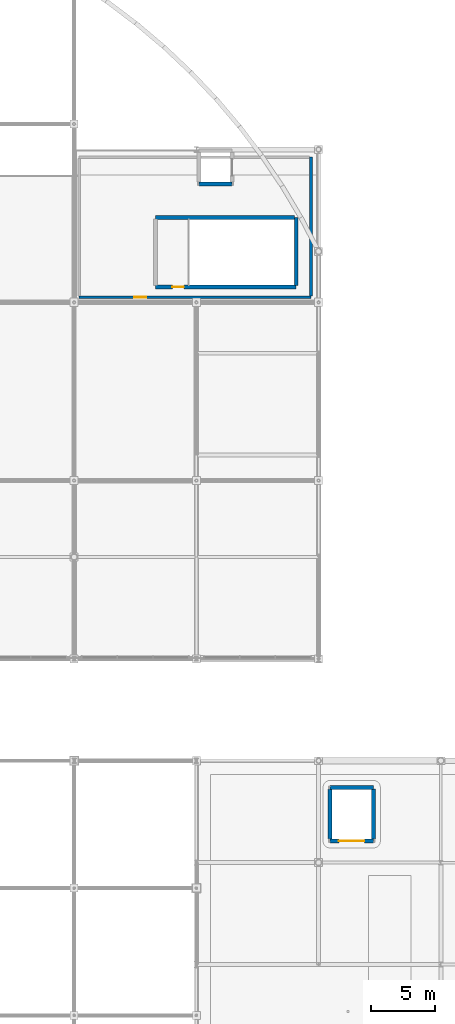
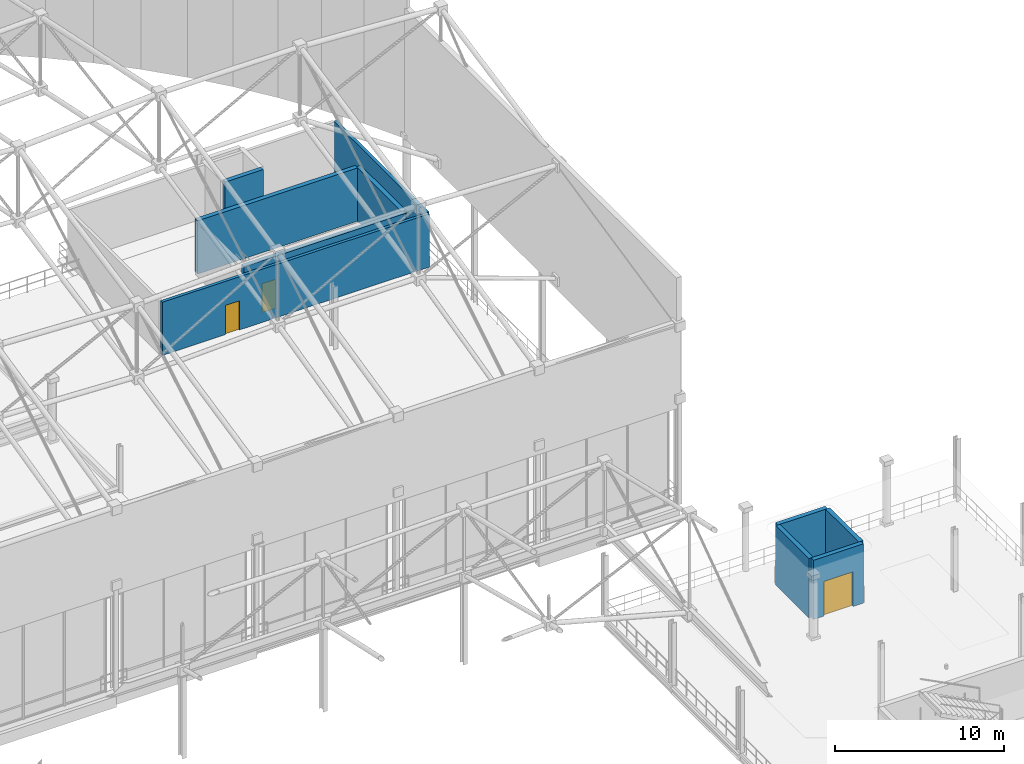
# One storey, part 158 of 193: 10 walls, 3 doors, 3 openings.
"""IFC4 building model written with IfcOpenShell, lengths in metres."""

from ifc_helpers import new_model, si_unit, direction, frame, frame_2d, origin, place, context, subcontext, project, spatial, rectangle, extrude, material, layer, layer_set, type_object, element, fill, save


model = new_model("IFC4")

# Units and contexts
model_context = context("Model", 3, precision=1e-05, world=origin(), true_north=direction((0.0, 1.0)))
body_context = subcontext(model_context, "Body", "Model", "MODEL_VIEW")
ifc_project = project(units=[si_unit("LENGTHUNIT", "METRE"), si_unit("AREAUNIT", "SQUARE_METRE"), si_unit("VOLUMEUNIT", "CUBIC_METRE"), si_unit("PLANEANGLEUNIT", "RADIAN"), si_unit("MASSUNIT", "GRAM", prefix="KILO")], contexts=[model_context])

# Site, building, storey
site_placement = place(None, origin())
site = spatial("IfcSite", under=ifc_project, at=site_placement, CompositionType="ELEMENT")
building_placement = place(site_placement, origin())
building = spatial("IfcBuilding", under=site, at=building_placement, Name="Danafjord Basin Convention Centre", CompositionType="ELEMENT")
storey_placement = place(building_placement, frame((0.0, 0.0, 11.39990234375)))
storey = spatial("IfcBuildingStorey", under=building, at=storey_placement, Name="L02", CompositionType="ELEMENT", Elevation=11.39990234375)

# Wall, opening, door
ifc_material_1 = material(Name="Concrete C40/50", Category="concrete")
ifc_layer_1 = layer(ifc_material_1, 0.300048828125)
ifc_layer_set_1 = layer_set([ifc_layer_1], Name="Concrete C40/50")
wall_type_1 = type_object("IfcWallType", Name="WALL-CW-CORE300", PredefinedType="SHEAR", material=ifc_layer_set_1)
wall_1_placement = place(storey_placement, frame((188.800048828125, 117.199951171875, 0.0), z_axis=(0.0, 0.0, 1.0), x_axis=(1.0, 0.0, 0.0)))
wall_1 = element("IfcWall", 1, at=wall_1_placement, inside=storey, type_object=wall_type_1, Name="Plenary North-East Core Stair 1 core shear wall (south)", PredefinedType="SHEAR", context=body_context, shape_type="SweptSolid", body=[
    extrude(rectangle(XDim=11.0400390625, YDim=0.300048828125, at=frame_2d((5.52001953125, 0.0))), origin(), (0.0, 0.0, 1.0), 3.835205078125),
])
opening_1_placement = place(wall_1_placement, frame((1.31201171875, 0.0, 0.0)))
opening_1 = element("IfcOpeningElement", 2, at=opening_1_placement, cuts=wall_1, Name="Opening FD-S01", PredefinedType="OPENING", context=body_context, shape_type="SweptSolid", body=[
    extrude(rectangle(XDim=0.909912109375, YDim=2.080078125, at=frame_2d((0.455078125, 1.0400390625))), frame((0.0, 0.159912109375, 0.0), z_axis=(0.0, -1.0, 0.0), x_axis=(1.0, 0.0, 0.0)), (0.0, 0.0, 1.0), 0.320068359375),
])
ifc_material_2 = material(Name="Powder-coated steel and Nordic oak", Category="steel")
door_type_1 = type_object("IfcDoorType", Name="DOOR-FD-S01", OperationType="NOTDEFINED", PredefinedType="DOOR", material=ifc_material_2)
door_1_placement = place(opening_1_placement, origin())
door_1 = element("IfcDoor", 3, at=door_1_placement, inside=storey, type_object=door_type_1, Name="Plenary North-East Core Stair 1 L02 Fire Exit Door", OperationType="SINGLE_SWING_LEFT", OverallHeight=2.080078125, OverallWidth=0.909912109375, PredefinedType="DOOR", context=body_context, shape_type="SweptSolid", body=[
    extrude(rectangle(XDim=0.909912109375, YDim=2.080078125, at=frame_2d((0.455078125, 1.0400390625))), frame((0.0, 0.02490234375, 0.0), z_axis=(0.0, -1.0, 0.0), x_axis=(1.0, 0.0, 0.0)), (0.0, 0.0, 1.0), 0.050048828125),
])
fill(opening_1, door_1)

# Walls
wall_2_placement = place(storey_placement, frame((199.840087890625, 117.3349609375, 0.0), z_axis=(0.0, 0.0, 1.0), x_axis=(0.0, 1.0, 0.0)))
element("IfcWall", 4, at=wall_2_placement, inside=storey, type_object=wall_type_1, Name="Plenary North-East Core Stair 1 core shear wall (east)", PredefinedType="SHEAR", context=body_context, shape_type="SweptSolid", body=[
    extrude(rectangle(XDim=5.324951171875, YDim=0.300048828125, at=frame_2d((2.66259765625, 0.0))), origin(), (0.0, 0.0, 1.0), 3.835205078125),
])
wall_3_placement = place(storey_placement, frame((199.705078125, 122.659912109375, 0.0), z_axis=(0.0, 0.0, 1.0), x_axis=(-1.0, 0.0, 0.0)))
element("IfcWall", 5, at=wall_3_placement, inside=storey, type_object=wall_type_1, Name="Plenary North-East Core Stair 1 core shear wall (north)", PredefinedType="SHEAR", context=body_context, shape_type="SweptSolid", body=[
    extrude(rectangle(XDim=10.905029296875, YDim=0.300048828125, at=frame_2d((5.45263671875, 0.0))), origin(), (0.0, 0.0, 1.0), 3.835205078125),
])
wall_4_placement = place(storey_placement, frame((192.199951171875, 125.300048828125, 0.0), z_axis=(0.0, 0.0, 1.0), x_axis=(1.0, 0.0, 0.0)))
element("IfcWall", 6, at=wall_4_placement, inside=storey, type_object=wall_type_1, Name="Lift LF-P05 shaft shear wall", PredefinedType="SHEAR", context=body_context, shape_type="SweptSolid", body=[
    extrude(rectangle(XDim=2.60009765625, YDim=0.300048828125, at=frame_2d((1.300048828125, 0.0))), origin(), (0.0, 0.0, 1.0), 3.835205078125),
])
wall_5_placement = place(storey_placement, frame((205.89990234375, 77.89990234375, 0.0), z_axis=(0.0, 0.0, 1.0), x_axis=(-1.0, 0.0, 0.0)))
element("IfcWall", 7, at=wall_5_placement, inside=storey, type_object=wall_type_1, Name="Lift LF-G02 shaft shear wall", PredefinedType="SHEAR", context=body_context, shape_type="SweptSolid", body=[
    extrude(rectangle(XDim=3.39990234375, YDim=0.300048828125, at=frame_2d((1.699951171875, 0.0))), origin(), (0.0, 0.0, 1.0), 4.27001953125),
])

# Wall, opening, door
wall_6_placement = place(storey_placement, frame((202.5, 73.699951171875, 0.0), z_axis=(0.0, 0.0, 1.0), x_axis=(1.0, 0.0, 0.0)))
wall_6 = element("IfcWall", 8, at=wall_6_placement, inside=storey, type_object=wall_type_1, Name="Lift LF-G02 shaft shear wall", PredefinedType="SHEAR", context=body_context, shape_type="SweptSolid", body=[
    extrude(rectangle(XDim=3.39990234375, YDim=0.300048828125, at=frame_2d((1.699951171875, 0.0))), origin(), (0.0, 0.0, 1.0), 4.27001953125),
])
opening_2_placement = place(wall_6_placement, frame((0.699951171875, 0.0, 0.0)))
opening_2 = element("IfcOpeningElement", 9, at=opening_2_placement, cuts=wall_6, Name="Opening LD-G01", PredefinedType="OPENING", context=body_context, shape_type="SweptSolid", body=[
    extrude(rectangle(XDim=2.0, YDim=2.5, at=frame_2d((1.0, 1.25))), frame((0.0, 0.159912109375, 0.0), z_axis=(0.0, -1.0, 0.0), x_axis=(1.0, 0.0, 0.0)), (0.0, 0.0, 1.0), 0.320068359375),
])
ifc_material_3 = material(Name="Brushed stainless steel and acoustic laminated glass", Category="steel")
door_type_2 = type_object("IfcDoorType", Name="DOOR-LD-G01", OperationType="DOUBLE_DOOR_SLIDING", PredefinedType="DOOR", material=ifc_material_3)
door_2_placement = place(opening_2_placement, origin())
door_2 = element("IfcDoor", 10, at=door_2_placement, inside=storey, type_object=door_type_2, Name="Lift LF-G02 L02 Landing Door", OperationType="DOUBLE_DOOR_SLIDING", OverallHeight=2.5, OverallWidth=2.0, PredefinedType="DOOR", context=body_context, shape_type="SweptSolid", body=[
    extrude(rectangle(XDim=2.0, YDim=2.5, at=frame_2d((1.0, 1.25))), frame((0.0, 0.02490234375, 0.0), z_axis=(0.0, -1.0, 0.0), x_axis=(1.0, 0.0, 0.0)), (0.0, 0.0, 1.0), 0.050048828125),
])
fill(opening_2, door_2)

# Walls
for number, where, z_axis, x_axis, name in (
    (11, (205.89990234375, 73.8349609375, 0.0), (0.0, 0.0, 1.0), (0.0, 1.0, 0.0), "Lift LF-G02 shaft shear wall"),
    (12, (202.5, 77.764892578125, 0.0), (0.0, 0.0, 1.0), (0.0, -1.0, 0.0), "Lift LF-G02 shaft shear wall"),
):
    element("IfcWall", number, at=place(storey_placement, frame(where, z_axis=z_axis, x_axis=x_axis)), inside=storey, type_object=wall_type_1, Name=name, PredefinedType="SHEAR", context=body_context, shape_type="SweptSolid", body=[
        extrude(rectangle(XDim=3.929931640625, YDim=0.300048828125, at=frame_2d((1.96484375, 0.0))), origin(), (0.0, 0.0, 1.0), 4.27001953125),
    ])

# Wall, opening, door
ifc_material_4 = material(Name="Concrete C35/45", Category="concrete")
ifc_layer_2 = layer(ifc_material_4, 0.205078125)
ifc_layer_set_2 = layer_set([ifc_layer_2], Name="Concrete C35/45")
wall_type_2 = type_object("IfcWallType", Name="WALL-W-COMP205", PredefinedType="SOLIDWALL", material=ifc_layer_set_2)
wall_7_placement = place(storey_placement, frame((182.800048828125, 116.39990234375, 0.0), z_axis=(0.0, 0.0, 1.0), x_axis=(1.0, 0.0, 0.0)))
wall_7 = element("IfcWall", 13, at=wall_7_placement, inside=storey, type_object=wall_type_2, Name="Auditorium Dimmer AHU Plant Room south partition", PredefinedType="SOLIDWALL", context=body_context, shape_type="SweptSolid", body=[
    extrude(rectangle(XDim=18.199951171875, YDim=0.205078125, at=frame_2d((9.10009765625, 0.0))), origin(), (0.0, 0.0, 1.0), 3.835205078125),
])
opening_3_placement = place(wall_7_placement, frame((4.31494140625, 0.0, 0.0)))
opening_3 = element("IfcOpeningElement", 14, at=opening_3_placement, cuts=wall_7, Name="Opening FD-S02", PredefinedType="OPENING", context=body_context, shape_type="SweptSolid", body=[
    extrude(rectangle(XDim=0.93994140625, YDim=2.10009765625, at=frame_2d((0.469970703125, 1.050048828125))), frame((0.0, 0.112548828125, 0.0), z_axis=(0.0, -1.0, 0.0), x_axis=(1.0, 0.0, 0.0)), (0.0, 0.0, 1.0), 0.22509765625),
])
door_type_3 = type_object("IfcDoorType", Name="DOOR-FD-S02", OperationType="NOTDEFINED", PredefinedType="DOOR", material=ifc_material_2)
door_3_placement = place(opening_3_placement, origin())
door_3 = element("IfcDoor", 15, at=door_3_placement, inside=storey, type_object=door_type_3, Name="Auditorium Dimmer AHU Plant Room Entrance Door", OperationType="SINGLE_SWING_LEFT", OverallHeight=2.10009765625, OverallWidth=0.93994140625, PredefinedType="DOOR", context=body_context, shape_type="SweptSolid", body=[
    extrude(rectangle(XDim=0.93994140625, YDim=2.10009765625, at=frame_2d((0.469970703125, 1.050048828125))), frame((0.0, 0.02490234375, 0.0), z_axis=(0.0, -1.0, 0.0), x_axis=(1.0, 0.0, 0.0)), (0.0, 0.0, 1.0), 0.050048828125),
])
fill(opening_3, door_3)

# Wall
wall_8_placement = place(storey_placement, frame((201.0, 116.506591796875, 0.0), z_axis=(0.0, 0.0, 1.0), x_axis=(0.0, 1.0, 0.0)))
element("IfcWall", 16, at=wall_8_placement, inside=storey, type_object=wall_type_2, Name="Auditorium Dimmer AHU Plant Room east partition", PredefinedType="SOLIDWALL", context=body_context, shape_type="SweptSolid", body=[
    extrude(rectangle(XDim=10.893310546875, YDim=0.205078125, at=frame_2d((5.44677734375, 0.0))), origin(), (0.0, 0.0, 1.0), 3.835205078125),
])

save(model, "model.ifc")
